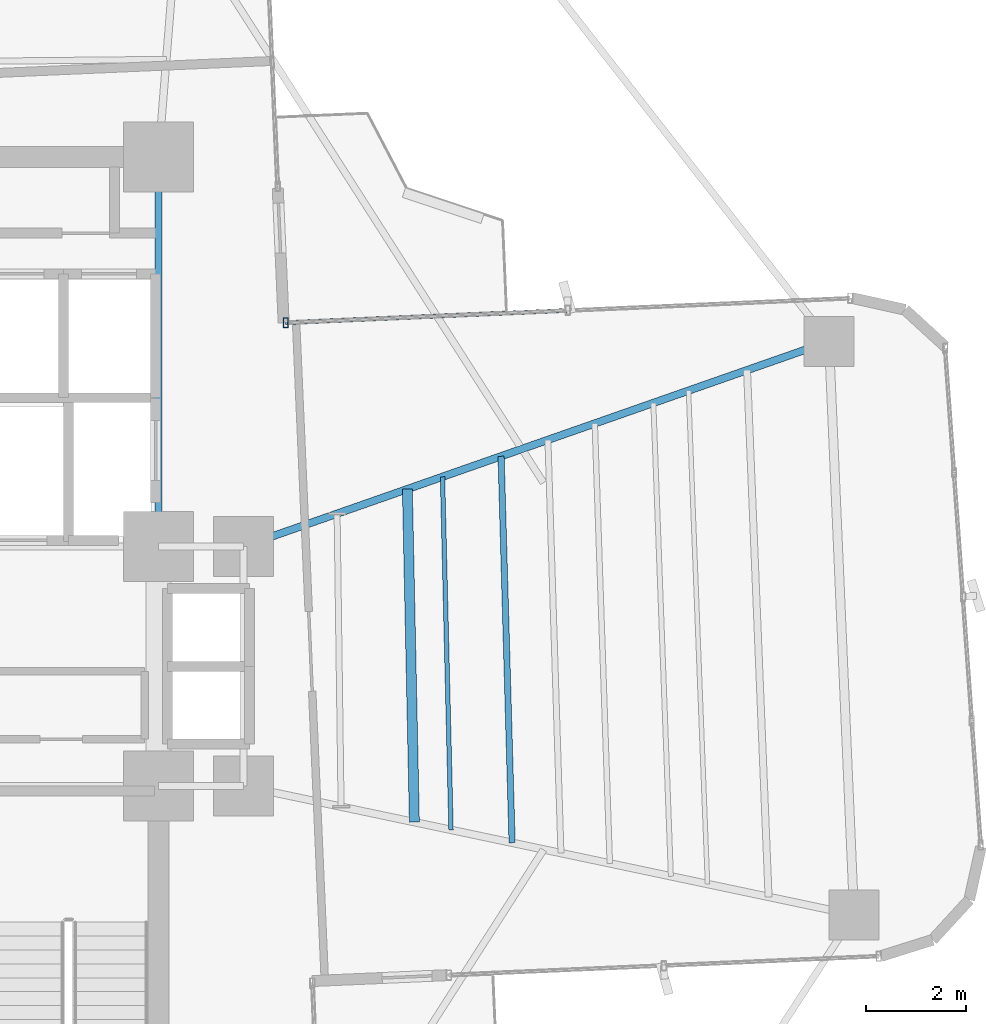
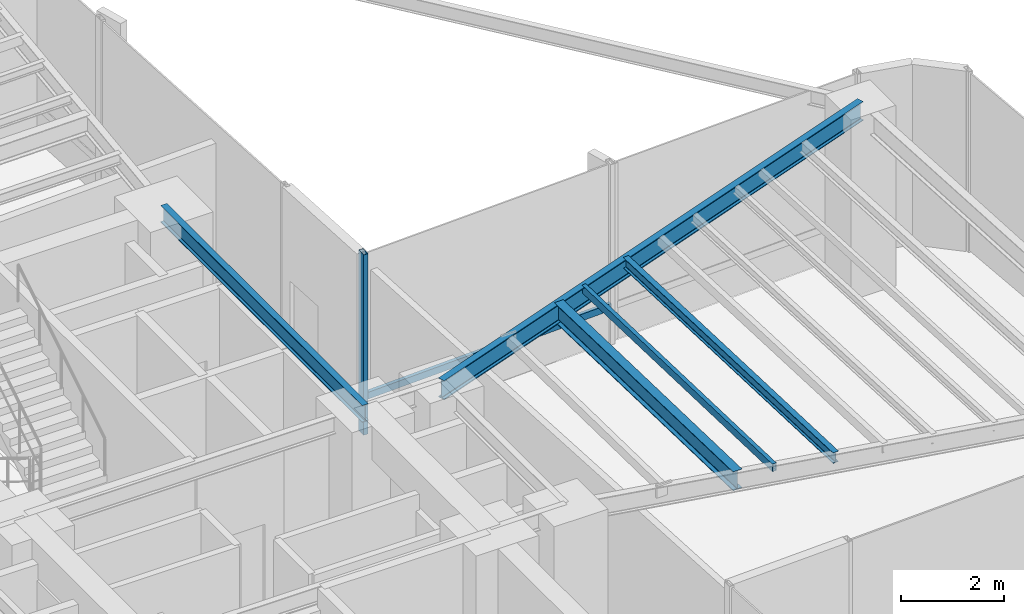
# One storey, part 7 of 21: 5 beams, 2 members, 1 element without a shape of its own.
"""IFC4 building model written with IfcOpenShell, lengths in metres."""

from ifc_helpers import new_model, si_unit, direction, frame, origin, origin_2d, place, context, subcontext, project, spatial, hollow_rectangle, i_section, extrude, source, transform, mapped, material, material_profile, profile_set, type_object, element, aggregate, save


model = new_model("IFC4")

# Units and contexts
model_context = context("Model", 3, precision=1e-05, world=origin(), true_north=direction((0.0, 1.0)))
body_context = subcontext(model_context, "Body", "Model", "MODEL_VIEW")
ifc_project = project(units=[si_unit("LENGTHUNIT", "METRE"), si_unit("AREAUNIT", "SQUARE_METRE"), si_unit("VOLUMEUNIT", "CUBIC_METRE"), si_unit("PLANEANGLEUNIT", "RADIAN"), si_unit("MASSUNIT", "GRAM", prefix="KILO")], contexts=[model_context])

# Site, building, storey
site_placement = place(None, origin())
site = spatial("IfcSite", under=ifc_project, at=site_placement, CompositionType="ELEMENT")
building_placement = place(site_placement, origin())
building = spatial("IfcBuilding", under=site, at=building_placement, Name="Sahyath Konkavel Grand Hotel", CompositionType="ELEMENT")
storey_placement = place(building_placement, frame((0.0, 0.0, 79.0)))
storey = spatial("IfcBuildingStorey", under=building, at=storey_placement, Name="L21", CompositionType="ELEMENT", Elevation=79.0)

# Beams
ifc_material_1 = material(Name="Steel E350", Category="steel")
ifc_material_profile_1 = material_profile(ifc_material_1, i_section(OverallWidth=0.139892578125, OverallDepth=0.39990234375, WebThickness=0.0087890625, FlangeThickness=0.01611328125, FilletRadius=0.013916015625, at=origin_2d()), Name="ISMB 400")
ifc_profile_set_1 = profile_set([ifc_material_profile_1], Name="Steel E350")
beam_type_1 = type_object("IfcBeamType", Name="BM-ISMB400", PredefinedType="BEAM", material=ifc_profile_set_1)
shared_shape_1 = source(origin(), body_context, "Body", "SweptSolid", [
    extrude(i_section(OverallWidth=0.139892578125, OverallDepth=0.39990234375, WebThickness=0.0087890625, FlangeThickness=0.01611328125, FilletRadius=0.013916015625, at=origin_2d()), origin(), (0.0, 0.0, 1.0), 7.800048828125),
])
beam_1_placement = place(storey_placement, frame((3.800048828125, 2.39990234375, 4.06005859375), z_axis=(0.0, 1.0, 0.0), x_axis=(-1.0, 0.0, 0.0)))
element("IfcBeam", 1, at=beam_1_placement, inside=storey, type_object=beam_type_1, Name="str:bm:L21:NC-E", PredefinedType="BEAM", context=body_context, shape_type="MappedRepresentation", body=[
    mapped(shared_shape_1, transform((0.0, 0.0, 0.0), scale=1.0)),
])
ifc_material_profile_2 = material_profile(ifc_material_1, i_section(OverallWidth=0.14990234375, OverallDepth=0.449951171875, WebThickness=0.009521484375, FlangeThickness=0.017333984375, FilletRadius=0.014892578125, at=origin_2d()), Name="ISMB 450")
ifc_profile_set_2 = profile_set([ifc_material_profile_2], Name="Steel E350")
beam_type_2 = type_object("IfcBeamType", Name="BM-ISMB450", PredefinedType="BEAM", material=ifc_profile_set_2)
shared_shape_2 = source(origin(), body_context, "Body", "SweptSolid", [
    extrude(i_section(OverallWidth=0.14990234375, OverallDepth=0.449951171875, WebThickness=0.009521484375, FlangeThickness=0.017333984375, FilletRadius=0.014892578125, at=origin_2d()), origin(), (0.0, 0.0, 1.0), 12.430908203125),
])
beam_2_placement = place(storey_placement, frame((5.5, 2.39990234375, 4.034912109375), z_axis=(0.943819157235, 0.330462400941, 0.0), x_axis=(-0.330462400941, 0.943819157235, 0.0)))
element("IfcBeam", 2, at=beam_2_placement, inside=storey, type_object=beam_type_2, Name="L21 Cruciform Radial Girder EB", PredefinedType="BEAM", context=body_context, shape_type="MappedRepresentation", body=[
    mapped(shared_shape_2, transform((0.0, 0.0, 0.0), scale=1.0)),
])
ifc_material_profile_3 = material_profile(ifc_material_1, i_section(OverallWidth=0.199951171875, OverallDepth=0.449951171875, WebThickness=0.00927734375, FlangeThickness=0.015380859375, FilletRadius=0.01611328125, at=origin_2d()), Name="ISWB 450")
ifc_profile_set_3 = profile_set([ifc_material_profile_3], Name="Steel E350")
beam_type_3 = type_object("IfcBeamType", Name="BM-ISWB450", PredefinedType="BEAM", material=ifc_profile_set_3)
shared_shape_3 = source(origin(), body_context, "Body", "SweptSolid", [
    extrude(i_section(OverallWidth=0.199951171875, OverallDepth=0.449951171875, WebThickness=0.00927734375, FlangeThickness=0.015380859375, FilletRadius=0.01611328125, at=origin_2d()), origin(), (0.0, 0.0, 1.0), 6.674560546875),
])
beam_3_placement = place(storey_placement, frame((8.925537109375, -3.122802734375, 4.034912109375), z_axis=(-0.021032188543, 0.999778799058, 0.0), x_axis=(-0.999778799058, -0.021032188543, 0.0)))
element("IfcBeam", 3, at=beam_3_placement, inside=storey, type_object=beam_type_3, Name="L21 Secondary Floor Beam E-1", PredefinedType="BEAM", context=body_context, shape_type="MappedRepresentation", body=[
    mapped(shared_shape_3, transform((0.0, 0.0, 0.0), scale=1.0)),
])
ifc_material_profile_4 = material_profile(ifc_material_1, hollow_rectangle(XDim=0.090087890625, YDim=0.179931640625, WallThickness=0.008056640625, at=origin_2d()), Name="RHS 180x90x8")
ifc_profile_set_4 = profile_set([ifc_material_profile_4], Name="Steel E350")
beam_type_4 = type_object("IfcBeamType", Name="BM-RHS180", PredefinedType="BEAM", material=ifc_profile_set_4)
shared_shape_4 = source(origin(), body_context, "Body", "SweptSolid", [
    extrude(hollow_rectangle(XDim=0.090087890625, YDim=0.179931640625, WallThickness=0.008056640625, at=origin_2d()), origin(), (0.0, 0.0, 1.0), 7.076171875),
])
beam_4_placement = place(storey_placement, frame((9.65966796875, -3.277587890625, 4.169921875), z_axis=(-0.024116396364, 0.999709157419, 0.0), x_axis=(-0.999709157419, -0.024116396364, 0.0)))
element("IfcBeam", 4, at=beam_4_placement, inside=storey, type_object=beam_type_4, Name="L21 Composite Deck Sub-Beam E-2", PredefinedType="BEAM", context=body_context, shape_type="MappedRepresentation", body=[
    mapped(shared_shape_4, transform((0.0, 0.0, 0.0), scale=1.0)),
])
ifc_material_profile_5 = material_profile(ifc_material_1, i_section(OverallWidth=0.125, OverallDepth=0.25, WebThickness=0.0068359375, FlangeThickness=0.012451171875, FilletRadius=0.012939453125, at=origin_2d()), Name="ISMB 250")
ifc_profile_set_5 = profile_set([ifc_material_profile_5], Name="Steel E350")
beam_type_5 = type_object("IfcBeamType", Name="BM-ISMB250", PredefinedType="BEAM", material=ifc_profile_set_5)
shared_shape_5 = source(origin(), body_context, "Body", "SweptSolid", [
    extrude(i_section(OverallWidth=0.125, OverallDepth=0.25, WebThickness=0.0068359375, FlangeThickness=0.012451171875, FilletRadius=0.012939453125, at=origin_2d()), origin(), (0.0, 0.0, 1.0), 7.746337890625),
])
beam_5_placement = place(storey_placement, frame((10.883056640625, -3.53564453125, 4.135009765625), z_axis=(-0.02849139268, 0.999594037869, 0.0), x_axis=(-0.999594037869, -0.02849139268, 0.0)))
element("IfcBeam", 5, at=beam_5_placement, inside=storey, type_object=beam_type_5, Name="L21 Composite Deck Sub-Beam E-3", PredefinedType="BEAM", context=body_context, shape_type="MappedRepresentation", body=[
    mapped(shared_shape_5, transform((0.0, 0.0, 0.0), scale=1.0)),
])

# Curtain wall, members
ifc_material_2 = material(Name="Anodised Bronze Aluminium & Low-E Glazing", Category="aluminium")
curtain_wall_type = type_object("IfcCurtainWallType", Name="CW-SKYLOBBY", PredefinedType="NOTDEFINED", material=ifc_material_2)
curtain_wall_placement = place(storey_placement, origin())
curtain_wall = element("IfcCurtainWall", 6, at=curtain_wall_placement, inside=storey, type_object=curtain_wall_type, Name="L21 Unitised Curtain Wall F7", PredefinedType="NOTDEFINED")
ifc_material_3 = material(Name="Anodised Bronze Aluminium", Category="aluminium")
ifc_material_profile_6 = material_profile(ifc_material_3, hollow_rectangle(XDim=0.10009765625, YDim=0.199951171875, WallThickness=0.008056640625, at=origin_2d()), Name="RHS 200x100x8")
ifc_profile_set_6 = profile_set([ifc_material_profile_6], Name="Anodised Bronze Aluminium")
member_type_1 = type_object("IfcMemberType", Name="CW-MUL-200", PredefinedType="MULLION", material=ifc_profile_set_6)
shared_shape_6 = source(origin(), body_context, "Body", "SweptSolid", [
    extrude(hollow_rectangle(XDim=0.10009765625, YDim=0.199951171875, WallThickness=0.008056640625, at=origin_2d()), origin(), (0.0, 0.0, 1.0), 4.260009765625),
])
member_1_placement = place(storey_placement, frame((6.345703125, 6.88330078125, 0.0), z_axis=(0.0, 0.0, 1.0), x_axis=(1.0, 0.0, 0.0)))
member_1 = element("IfcMember", 7, at=member_1_placement, type_object=member_type_1, Name="L21 Curtain Wall Mullion F7-2", PredefinedType="MULLION", context=body_context, shape_type="MappedRepresentation", body=[
    mapped(shared_shape_6, transform((0.0, 0.0, 0.0), scale=1.0)),
])
ifc_material_profile_7 = material_profile(ifc_material_3, hollow_rectangle(XDim=0.080078125, YDim=0.159912109375, WallThickness=0.006103515625, at=origin_2d()), Name="RHS 160x80x6")
ifc_profile_set_7 = profile_set([ifc_material_profile_7], Name="Anodised Bronze Aluminium")
member_type_2 = type_object("IfcMemberType", Name="CW-TRN-160", PredefinedType="USERDEFINED", material=ifc_profile_set_7)
shared_shape_7 = source(origin(), body_context, "Body", "SweptSolid", [
    extrude(hollow_rectangle(XDim=0.080078125, YDim=0.159912109375, WallThickness=0.006103515625, at=origin_2d()), origin(), (0.0, 0.0, 1.0), 5.66015625),
])
member_2_placement = place(storey_placement, frame((12.00048828125, 7.13037109375, 0.85009765625), z_axis=(-0.9990468579, -0.043650609628, 0.0), x_axis=(0.043650609628, -0.9990468579, 0.0)))
member_2 = element("IfcMember", 8, at=member_2_placement, type_object=member_type_2, Name="L21 Curtain Wall Transom F7-1-spandrel", ObjectType="TRANSOM", PredefinedType="USERDEFINED", context=body_context, shape_type="MappedRepresentation", body=[
    mapped(shared_shape_7, transform((0.0, 0.0, 0.0), scale=1.0)),
])
aggregate(curtain_wall, [member_1, member_2])

save(model, "model.ifc")
